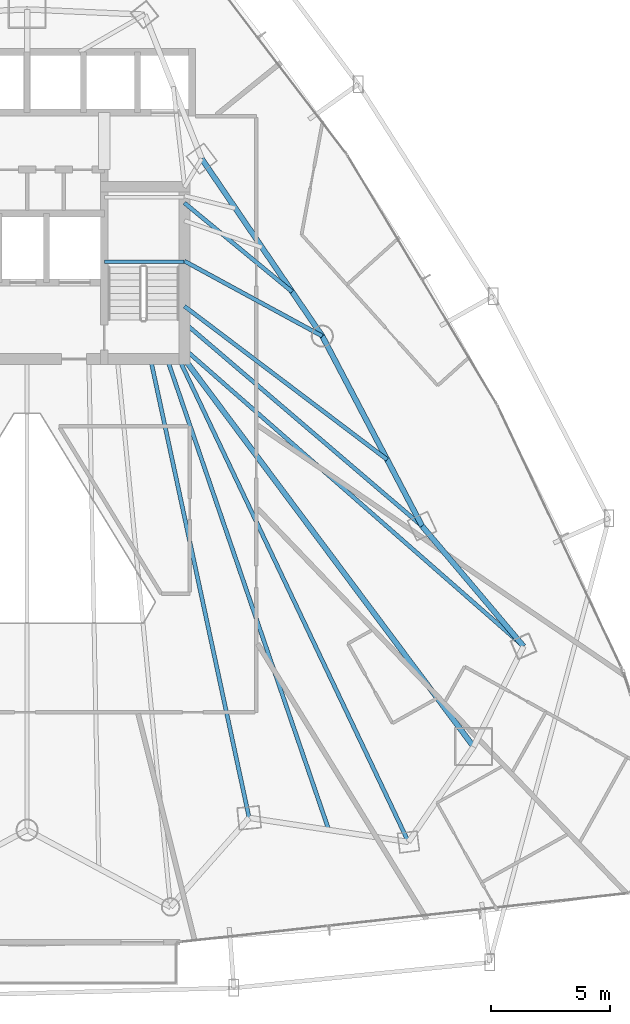
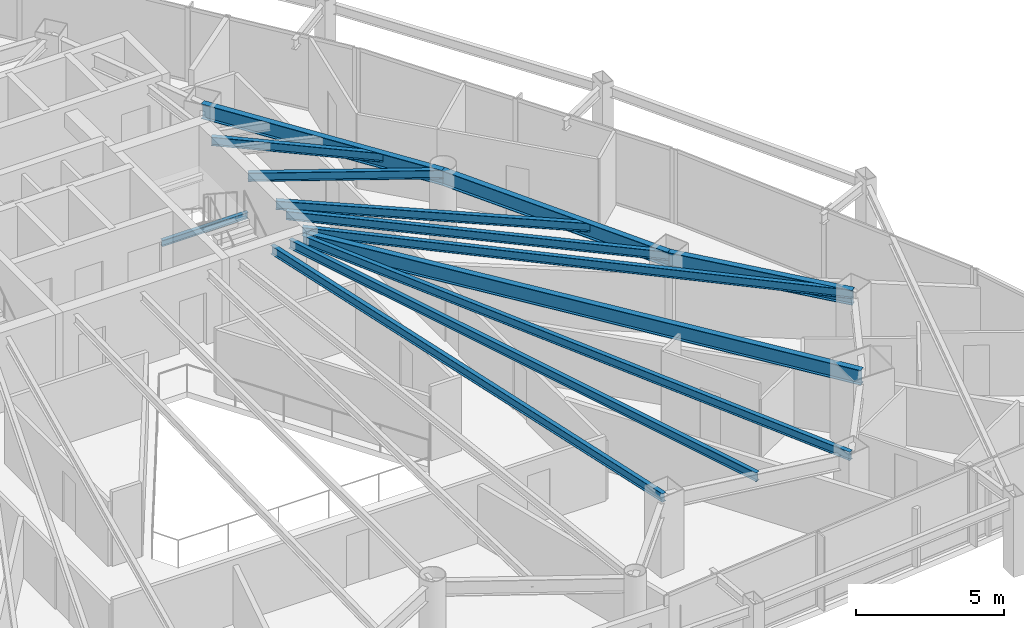
# One storey, part 17 of 34: 13 beams.
"""IFC4 building model written with IfcOpenShell, lengths in metres."""

from ifc_helpers import new_model, si_unit, direction, frame, origin, origin_2d, place, context, subcontext, project, spatial, i_section, extrude, material, material_profile, profile_set, type_object, element, save


model = new_model("IFC4")

# Units and contexts
model_context = context("Model", 3, precision=1e-05, world=origin(), true_north=direction((0.0, 1.0)))
body_context = subcontext(model_context, "Body", "Model", "MODEL_VIEW")
ifc_project = project(units=[si_unit("LENGTHUNIT", "METRE"), si_unit("AREAUNIT", "SQUARE_METRE"), si_unit("VOLUMEUNIT", "CUBIC_METRE"), si_unit("PLANEANGLEUNIT", "RADIAN"), si_unit("MASSUNIT", "GRAM", prefix="KILO")], contexts=[model_context])

# Site, building, storey
site_placement = place(None, origin())
site = spatial("IfcSite", under=ifc_project, at=site_placement, CompositionType="ELEMENT")
building_placement = place(site_placement, origin())
building = spatial("IfcBuilding", under=site, at=building_placement, Name="Orvanel Arch Residences", CompositionType="ELEMENT")
storey_placement = place(building_placement, frame((0.0, 0.0, 74.14990234375)))
storey = spatial("IfcBuildingStorey", under=building, at=storey_placement, Name="L20", CompositionType="ELEMENT", Elevation=74.14990234375)

# Beams
ifc_material = material(Name="Structural steel AS/NZS 3679.1 Grade 300 (300 MPa)", Category="steel")
ifc_material_profile_1 = material_profile(ifc_material, i_section(OverallWidth=0.22900390625, OverallDepth=0.612060546875, WebThickness=0.011962890625, FlangeThickness=0.01953125, at=origin_2d()), Name="610UB125")
ifc_profile_set_1 = profile_set([ifc_material_profile_1], Name="Structural steel AS/NZS 3679.1 Grade 300 (300 MPa)")
beam_type_1 = type_object("IfcBeamType", Name="BG-610UB", PredefinedType="BEAM", material=ifc_profile_set_1)
beam_1_placement = place(storey_placement, frame((39.625, 26.675048828125, 2.754150390625), z_axis=(0.597893733742, -0.801575375839, 0.0), x_axis=(0.801575375839, 0.597893733742, 0.0)))
element("IfcBeam", 1, at=beam_1_placement, inside=storey, type_object=beam_type_1, Name="L20 South-East Radial Girder", PredefinedType="BEAM", context=body_context, shape_type="SweptSolid", body=[
    extrude(i_section(OverallWidth=0.22900390625, OverallDepth=0.612060546875, WebThickness=0.011962890625, FlangeThickness=0.01953125, at=origin_2d()), origin(), (0.0, 0.0, 1.0), 20.36474609375),
])
ifc_material_profile_2 = material_profile(ifc_material, i_section(OverallWidth=0.14599609375, OverallDepth=0.251953125, WebThickness=0.006103515625, FlangeThickness=0.008544921875, at=origin_2d()), Name="250UB31.4")
ifc_profile_set_2 = profile_set([ifc_material_profile_2], Name="Structural steel AS/NZS 3679.1 Grade 300 (300 MPa)")
beam_type_2 = type_object("IfcBeamType", Name="BJ-250UB", PredefinedType="JOIST", material=ifc_profile_set_2)
beam_2_placement = place(storey_placement, frame((36.25, 30.780029296875, 1.32421875), z_axis=(1.0, 0.0, 0.0), x_axis=(0.0, 1.0, 0.0)))
element("IfcBeam", 2, at=beam_2_placement, inside=storey, type_object=beam_type_2, Name="L20 ST-2 Half-Landing Support Beam 1.1", PredefinedType="JOIST", context=body_context, shape_type="SweptSolid", body=[
    extrude(i_section(OverallWidth=0.14599609375, OverallDepth=0.251953125, WebThickness=0.006103515625, FlangeThickness=0.008544921875, at=origin_2d()), origin(), (0.0, 0.0, 1.0), 3.35009765625),
])
ifc_material_profile_3 = material_profile(ifc_material, i_section(OverallWidth=0.1708984375, OverallDepth=0.35595703125, WebThickness=0.00732421875, FlangeThickness=0.011474609375, at=origin_2d()), Name="360UB50.7")
ifc_profile_set_3 = profile_set([ifc_material_profile_3], Name="Structural steel AS/NZS 3679.1 Grade 300 (300 MPa)")
beam_type_3 = type_object("IfcBeamType", Name="BJ-360UB", PredefinedType="JOIST", material=ifc_profile_set_3)
beam_3_placement = place(storey_placement, frame((39.625, 30.800048828125, 2.882080078125), z_axis=(0.878399029914, -0.477927969726, 0.0), x_axis=(0.477927969726, 0.878399029914, 0.0)))
element("IfcBeam", 3, at=beam_3_placement, inside=storey, type_object=beam_type_3, Name="L20 NE Wing Floor Joist", PredefinedType="JOIST", context=body_context, shape_type="SweptSolid", body=[
    extrude(i_section(OverallWidth=0.1708984375, OverallDepth=0.35595703125, WebThickness=0.00732421875, FlangeThickness=0.011474609375, at=origin_2d()), origin(), (0.0, 0.0, 1.0), 6.609619140625),
])
beam_4_placement = place(storey_placement, frame((39.625, 28.199951171875, 2.882080078125), z_axis=(0.760024297953, -0.649894658018, 0.0), x_axis=(0.649894658018, 0.760024297953, 0.0)))
element("IfcBeam", 4, at=beam_4_placement, inside=storey, type_object=beam_type_3, Name="L20 E Wing Floor Joist", PredefinedType="JOIST", context=body_context, shape_type="SweptSolid", body=[
    extrude(i_section(OverallWidth=0.1708984375, OverallDepth=0.35595703125, WebThickness=0.00732421875, FlangeThickness=0.011474609375, at=origin_2d()), origin(), (0.0, 0.0, 1.0), 13.16796875),
])
beam_5_placement = place(storey_placement, frame((38.199951171875, 26.675048828125, 2.882080078125), z_axis=(0.210066515515, -0.977687096703, 0.0), x_axis=(0.977687096703, 0.210066515515, 0.0)))
element("IfcBeam", 5, at=beam_5_placement, inside=storey, type_object=beam_type_3, Name="L20 SE Wing Floor Joist", PredefinedType="JOIST", context=body_context, shape_type="SweptSolid", body=[
    extrude(i_section(OverallWidth=0.1708984375, OverallDepth=0.35595703125, WebThickness=0.00732421875, FlangeThickness=0.011474609375, at=origin_2d()), origin(), (0.0, 0.0, 1.0), 19.760986328125),
])
beam_6_placement = place(storey_placement, frame((39.625, 27.10009765625, 2.882080078125), z_axis=(0.751924114057, -0.659249669472, 0.0), x_axis=(0.659249669472, 0.751924114057, 0.0)))
element("IfcBeam", 6, at=beam_6_placement, inside=storey, type_object=beam_type_3, Name="L20 ME Wing Floor Joist", PredefinedType="JOIST", context=body_context, shape_type="SweptSolid", body=[
    extrude(i_section(OverallWidth=0.1708984375, OverallDepth=0.35595703125, WebThickness=0.00732421875, FlangeThickness=0.011474609375, at=origin_2d()), origin(), (0.0, 0.0, 1.0), 18.9912109375),
])
beam_7_placement = place(storey_placement, frame((39.39990234375, 26.675048828125, 2.882080078125), z_axis=(0.429042657795, -0.903284228686, 0.0), x_axis=(0.903284228686, 0.429042657795, 0.0)))
element("IfcBeam", 7, at=beam_7_placement, inside=storey, type_object=beam_type_3, Name="L20 MSE Wing Floor Joist", PredefinedType="JOIST", context=body_context, shape_type="SweptSolid", body=[
    extrude(i_section(OverallWidth=0.1708984375, OverallDepth=0.35595703125, WebThickness=0.00732421875, FlangeThickness=0.011474609375, at=origin_2d()), origin(), (0.0, 0.0, 1.0), 22.513427734375),
])
beam_8_placement = place(storey_placement, frame((39.625, 33.25, 2.882080078125), z_axis=(0.771468562814, -0.636267441089, 0.0), x_axis=(0.636267441089, 0.771468562814, 0.0)))
element("IfcBeam", 8, at=beam_8_placement, inside=storey, type_object=beam_type_3, Name="L20 LE Wing Floor Joist", PredefinedType="JOIST", context=body_context, shape_type="SweptSolid", body=[
    extrude(i_section(OverallWidth=0.1708984375, OverallDepth=0.35595703125, WebThickness=0.00732421875, FlangeThickness=0.011474609375, at=origin_2d()), origin(), (0.0, 0.0, 1.0), 5.879638671875),
])
beam_9_placement = place(storey_placement, frame((39.625, 28.89990234375, 2.882080078125), z_axis=(0.797519083104, -0.60329371958, 0.0), x_axis=(0.60329371958, 0.797519083104, 0.0)))
element("IfcBeam", 9, at=beam_9_placement, inside=storey, type_object=beam_type_3, Name="L20 CTE Wing Floor Joist", PredefinedType="JOIST", context=body_context, shape_type="SweptSolid", body=[
    extrude(i_section(OverallWidth=0.1708984375, OverallDepth=0.35595703125, WebThickness=0.00732421875, FlangeThickness=0.011474609375, at=origin_2d()), origin(), (0.0, 0.0, 1.0), 10.70458984375),
])
beam_10_placement = place(storey_placement, frame((38.89990234375, 26.675048828125, 2.882080078125), z_axis=(0.324621456495, -0.945844019901, 0.0), x_axis=(0.945844019901, 0.324621456495, 0.0)))
element("IfcBeam", 10, at=beam_10_placement, inside=storey, type_object=beam_type_3, Name="L20 JADD2 Wing Floor Joist", PredefinedType="JOIST", context=body_context, shape_type="SweptSolid", body=[
    extrude(i_section(OverallWidth=0.1708984375, OverallDepth=0.35595703125, WebThickness=0.00732421875, FlangeThickness=0.011474609375, at=origin_2d()), origin(), (0.0, 0.0, 1.0), 20.96337890625),
])
ifc_material_profile_4 = material_profile(ifc_material, i_section(OverallWidth=0.22900390625, OverallDepth=0.612060546875, WebThickness=0.011962890625, FlangeThickness=0.01953125, at=origin_2d()), Name="610UB125")
ifc_profile_set_4 = profile_set([ifc_material_profile_4], Name="Structural steel AS/NZS 3679.1 Grade 300 (300 MPa)")
beam_type_4 = type_object("IfcBeamType", Name="SP-610UB", PredefinedType="SPANDREL", material=ifc_profile_set_4)
beam_11_placement = place(storey_placement, frame((53.905029296875, 14.580078125, 2.754150390625), z_axis=(-0.644950329775, 0.764224490659, 0.0), x_axis=(-0.764224490659, -0.644950329775, 0.0)))
element("IfcBeam", 11, at=beam_11_placement, inside=storey, type_object=beam_type_4, Name="L20 Perimeter Spandrel Beam 12", PredefinedType="SPANDREL", context=body_context, shape_type="SweptSolid", body=[
    extrude(i_section(OverallWidth=0.22900390625, OverallDepth=0.612060546875, WebThickness=0.011962890625, FlangeThickness=0.01953125, at=origin_2d()), origin(), (0.0, 0.0, 1.0), 6.623779296875),
])
beam_12_placement = place(storey_placement, frame((49.633056640625, 19.64208984375, 2.754150390625), z_axis=(-0.465064762793, 0.885276660942, 0.0), x_axis=(-0.885276660942, -0.465064762793, 0.0)))
element("IfcBeam", 12, at=beam_12_placement, inside=storey, type_object=beam_type_4, Name="L20 Perimeter Spandrel Beam 13", PredefinedType="SPANDREL", context=body_context, shape_type="SweptSolid", body=[
    extrude(i_section(OverallWidth=0.22900390625, OverallDepth=0.612060546875, WebThickness=0.011962890625, FlangeThickness=0.01953125, at=origin_2d()), origin(), (0.0, 0.0, 1.0), 9.03564453125),
])
beam_13_placement = place(storey_placement, frame((45.430908203125, 27.64111328125, 2.754150390625), z_axis=(-0.562154793153, 0.827032035978, 0.0), x_axis=(-0.827032035978, -0.562154793153, 0.0)))
element("IfcBeam", 13, at=beam_13_placement, inside=storey, type_object=beam_type_4, Name="L20 Perimeter Spandrel Beam 14", PredefinedType="SPANDREL", context=body_context, shape_type="SweptSolid", body=[
    extrude(i_section(OverallWidth=0.22900390625, OverallDepth=0.612060546875, WebThickness=0.011962890625, FlangeThickness=0.01953125, at=origin_2d()), origin(), (0.0, 0.0, 1.0), 9.03466796875),
])

save(model, "model.ifc")
